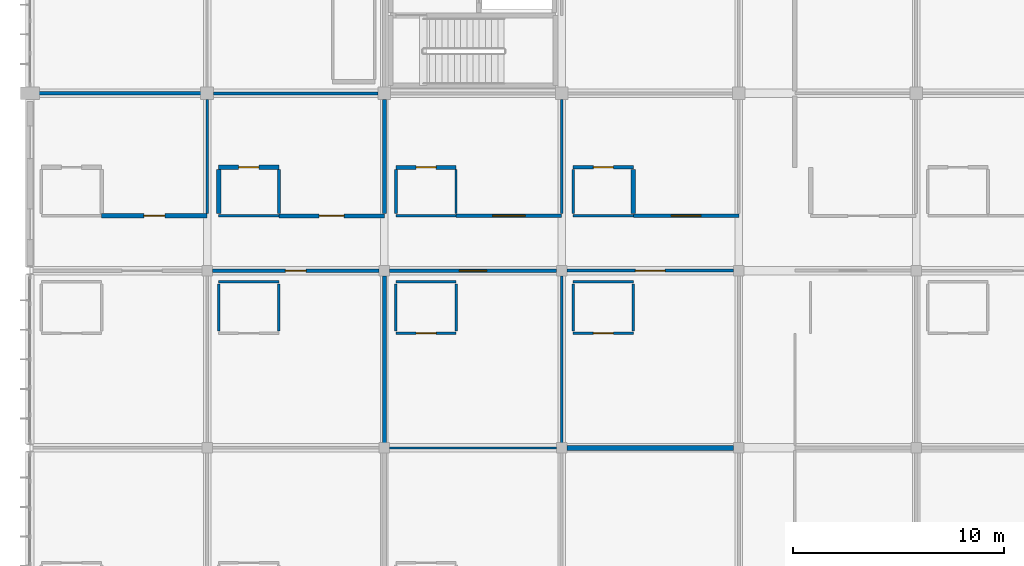
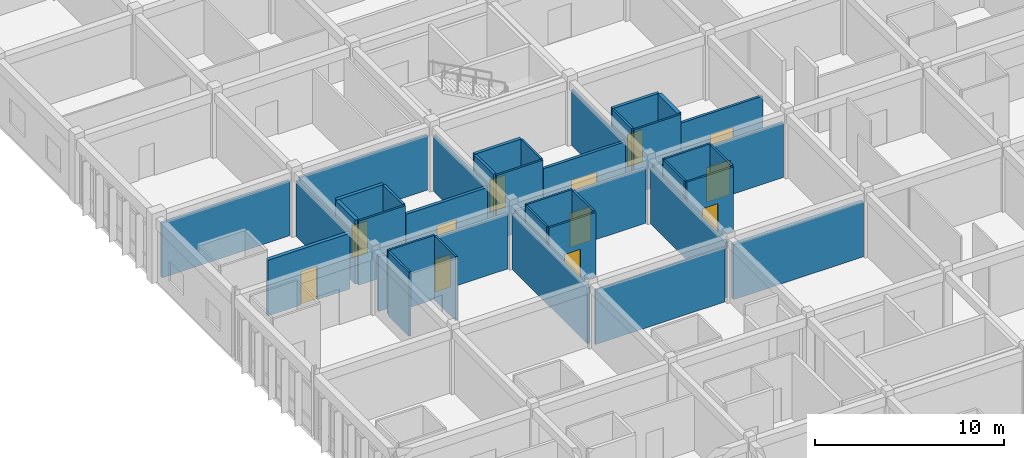
# One storey, part 100 of 144: 39 walls, 12 doors, 12 openings.
"""IFC4 building model written with IfcOpenShell, lengths in metres."""

from ifc_helpers import new_model, si_unit, direction, frame, frame_2d, origin, place, context, subcontext, project, spatial, rectangle, extrude, material, layer, layer_set, type_object, element, fill, save


model = new_model("IFC4")

# Units and contexts
model_context = context("Model", 3, precision=1e-05, world=origin(), true_north=direction((0.0, 1.0)))
body_context = subcontext(model_context, "Body", "Model", "MODEL_VIEW")
ifc_project = project(units=[si_unit("LENGTHUNIT", "METRE"), si_unit("AREAUNIT", "SQUARE_METRE"), si_unit("VOLUMEUNIT", "CUBIC_METRE"), si_unit("PLANEANGLEUNIT", "RADIAN"), si_unit("MASSUNIT", "GRAM", prefix="KILO")], contexts=[model_context])

# Site, building, storey
site_placement = place(None, origin())
site = spatial("IfcSite", under=ifc_project, at=site_placement, CompositionType="ELEMENT")
building_placement = place(site_placement, origin())
building = spatial("IfcBuilding", under=site, at=building_placement, Name="Bramfleet General Hospital", CompositionType="ELEMENT")
storey_placement = place(building_placement, frame((0.0, 0.0, 4.800048828125)))
storey = spatial("IfcBuildingStorey", under=building, at=storey_placement, Name="L01", CompositionType="ELEMENT", Elevation=4.800048828125)

# Wall
ifc_material_1 = material(Name="Concrete C35/45", Category="concrete")
ifc_layer_1 = layer(ifc_material_1, 0.219970703125, Name="WT-IW-01")
ifc_layer_set_1 = layer_set([ifc_layer_1], Name="Concrete C35/45")
wall_type_1 = type_object("IfcWallType", Name="WT-IW-01", PredefinedType="PARTITIONING", material=ifc_layer_set_1)
wall_1_placement = place(storey_placement, frame((25.445068359375, 33.60009765625, 0.0), z_axis=(0.0, 0.0, 1.0), x_axis=(1.0, 0.0, 0.0)))
element("IfcWall", 1, at=wall_1_placement, inside=storey, type_object=wall_type_1, Name="L01 Interior Partition IW-L01-1333", PredefinedType="PARTITIONING", context=body_context, shape_type="SweptSolid", body=[
    extrude(rectangle(XDim=7.909912109375, YDim=0.219970703125, at=frame_2d((3.955078125, 0.0))), origin(), (0.0, 0.0, 1.0), 3.5400390625),
])

# Wall, opening, door
wall_2_placement = place(storey_placement, frame((3.39990234375, 44.60009765625, 0.0), z_axis=(0.0, 0.0, 1.0), x_axis=(1.0, 0.0, 0.0)))
wall_2 = element("IfcWall", 2, at=wall_2_placement, inside=storey, type_object=wall_type_1, Name="L01 Interior Partition IW-L01-1357", PredefinedType="PARTITIONING", context=body_context, shape_type="SweptSolid", body=[
    extrude(rectangle(XDim=5.0, YDim=0.219970703125, at=frame_2d((2.5, 0.0))), origin(), (0.0, 0.0, 1.0), 3.58984375),
])
opening_1_placement = place(wall_2_placement, frame((2.0, 0.0, 0.0)))
opening_1 = element("IfcOpeningElement", 3, at=opening_1_placement, cuts=wall_2, Name="Opening D0616", PredefinedType="OPENING", context=body_context, shape_type="SweptSolid", body=[
    extrude(rectangle(XDim=1.0, YDim=2.14990234375, at=frame_2d((0.5, 1.074951171875))), frame((0.0, 0.119873046875, 0.0), z_axis=(0.0, -1.0, 0.0), x_axis=(1.0, 0.0, 0.0)), (0.0, 0.0, 1.0), 0.239990234375),
])
ifc_material_2 = material(Name="Stainless steel and acoustic timber leaf", Category="steel")
door_type_1 = type_object("IfcDoorType", Name="DR-D-08", OperationType="NOTDEFINED", PredefinedType="DOOR", material=ifc_material_2)
door_1_placement = place(opening_1_placement, origin())
door_1 = element("IfcDoor", 4, at=door_1_placement, inside=storey, type_object=door_type_1, Name="Emergency Observation Ward Room L01-0005 Door D0616", OperationType="SINGLE_SWING_LEFT", OverallHeight=2.14990234375, OverallWidth=1.0, PredefinedType="DOOR", context=body_context, shape_type="SweptSolid", body=[
    extrude(rectangle(XDim=1.0, YDim=2.14990234375, at=frame_2d((0.5, 1.074951171875))), frame((0.0, 0.02490234375, 0.0), z_axis=(0.0, -1.0, 0.0), x_axis=(1.0, 0.0, 0.0)), (0.0, 0.0, 1.0), 0.050048828125),
])
fill(opening_1, door_1)

# Walls
for number, where, z_axis, x_axis, name in (
    (5, (8.949951171875, 44.715087890625, 0.0), (0.0, 0.0, 1.0), (0.0, 1.0, 0.0), "L01 Interior Partition IW-L01-1609"),
    (6, (28.60009765625, 44.715087890625, 0.0), (0.0, 0.0, 1.0), (0.0, 1.0, 0.0), "L01 Interior Partition IW-L01-1669"),
):
    element("IfcWall", number, at=place(storey_placement, frame(where, z_axis=z_axis, x_axis=x_axis)), inside=storey, type_object=wall_type_1, Name=name, PredefinedType="PARTITIONING", context=body_context, shape_type="SweptSolid", body=[
        extrude(rectangle(XDim=2.06982421875, YDim=0.219970703125, at=frame_2d((1.034912109375, 0.0))), origin(), (0.0, 0.0, 1.0), 4.139892578125),
    ])

# Wall, opening, door
ifc_layer_2 = layer(ifc_material_1, 0.205078125, Name="WT-IW-02")
ifc_layer_set_2 = layer_set([ifc_layer_2], Name="Concrete C35/45")
wall_type_2 = type_object("IfcWallType", Name="WT-IW-02", PredefinedType="PARTITIONING", material=ifc_layer_set_2)
wall_3_placement = place(storey_placement, frame((8.949951171875, 46.89990234375, 0.0), z_axis=(0.0, 0.0, 1.0), x_axis=(1.0, 0.0, 0.0)))
wall_3 = element("IfcWall", 7, at=wall_3_placement, inside=storey, type_object=wall_type_2, Name="L01 Interior Partition IW-L01-1370", PredefinedType="PARTITIONING", context=body_context, shape_type="SweptSolid", body=[
    extrude(rectangle(XDim=2.85009765625, YDim=0.205078125, at=frame_2d((1.425048828125, 0.0))), origin(), (0.0, 0.0, 1.0), 4.139892578125),
])
opening_2_placement = place(wall_3_placement, frame((0.949951171875, 0.0, 0.0)))
opening_2 = element("IfcOpeningElement", 8, at=opening_2_placement, cuts=wall_3, Name="Opening D0637", PredefinedType="OPENING", context=body_context, shape_type="SweptSolid", body=[
    extrude(rectangle(XDim=0.949951171875, YDim=2.10009765625, at=frame_2d((0.47509765625, 1.050048828125))), frame((0.0, 0.112548828125, 0.0), z_axis=(0.0, -1.0, 0.0), x_axis=(1.0, 0.0, 0.0)), (0.0, 0.0, 1.0), 0.22509765625),
])
door_type_2 = type_object("IfcDoorType", Name="DR-D-10", OperationType="NOTDEFINED", PredefinedType="DOOR", material=ifc_material_2)
door_2_placement = place(opening_2_placement, origin())
door_2 = element("IfcDoor", 9, at=door_2_placement, inside=storey, type_object=door_type_2, Name="Observation En-Suite Bathroom L01-0105 Door D0637", OperationType="SINGLE_SWING_LEFT", OverallHeight=2.10009765625, OverallWidth=0.949951171875, PredefinedType="DOOR", context=body_context, shape_type="SweptSolid", body=[
    extrude(rectangle(XDim=0.949951171875, YDim=2.10009765625, at=frame_2d((0.47509765625, 1.050048828125))), frame((0.0, 0.02490234375, 0.0), z_axis=(0.0, -1.0, 0.0), x_axis=(1.0, 0.0, 0.0)), (0.0, 0.0, 1.0), 0.050048828125),
])
fill(opening_2, door_2)

ifc_layer_3 = layer(ifc_material_1, 0.18994140625, Name="WT-IW-03")
ifc_layer_set_3 = layer_set([ifc_layer_3], Name="Concrete C35/45")
wall_type_3 = type_object("IfcWallType", Name="WT-IW-03", PredefinedType="PARTITIONING", material=ifc_layer_set_3)
wall_4_placement = place(storey_placement, frame((11.800048828125, 44.60009765625, 0.0), z_axis=(0.0, 0.0, 1.0), x_axis=(1.0, 0.0, 0.0)))
wall_4 = element("IfcWall", 10, at=wall_4_placement, inside=storey, type_object=wall_type_3, Name="L01 Interior Partition IW-L01-1359", PredefinedType="PARTITIONING", context=body_context, shape_type="SweptSolid", body=[
    extrude(rectangle(XDim=5.0, YDim=0.18994140625, at=frame_2d((2.5, 0.0))), origin(), (0.0, 0.0, 1.0), 3.58984375),
])
opening_3_placement = place(wall_4_placement, frame((1.909912109375, 0.0, 0.0)))
opening_3 = element("IfcOpeningElement", 11, at=opening_3_placement, cuts=wall_4, Name="Opening D0636", PredefinedType="OPENING", context=body_context, shape_type="SweptSolid", body=[
    extrude(rectangle(XDim=1.179931640625, YDim=2.179931640625, at=frame_2d((0.58984375, 1.08984375))), frame((0.0, 0.10498046875, 0.0), z_axis=(0.0, -1.0, 0.0), x_axis=(1.0, 0.0, 0.0)), (0.0, 0.0, 1.0), 0.2099609375),
])
door_type_3 = type_object("IfcDoorType", Name="DR-D-28", OperationType="NOTDEFINED", PredefinedType="DOOR", material=ifc_material_2)
door_3_placement = place(opening_3_placement, origin())
door_3 = element("IfcDoor", 12, at=door_3_placement, inside=storey, type_object=door_type_3, Name="Emergency Observation Ward Room L01-0105 Door D0636", OperationType="SINGLE_SWING_LEFT", OverallHeight=2.179931640625, OverallWidth=1.179931640625, PredefinedType="DOOR", context=body_context, shape_type="SweptSolid", body=[
    extrude(rectangle(XDim=1.179931640625, YDim=2.179931640625, at=frame_2d((0.58984375, 1.08984375))), frame((0.0, 0.02490234375, 0.0), z_axis=(0.0, -1.0, 0.0), x_axis=(1.0, 0.0, 0.0)), (0.0, 0.0, 1.0), 0.050048828125),
])
fill(opening_3, door_3)

wall_5_placement = place(storey_placement, frame((17.35009765625, 46.89990234375, 0.0), z_axis=(0.0, 0.0, 1.0), x_axis=(1.0, 0.0, 0.0)))
wall_5 = element("IfcWall", 13, at=wall_5_placement, inside=storey, type_object=wall_type_3, Name="L01 Interior Partition IW-L01-1371", PredefinedType="PARTITIONING", context=body_context, shape_type="SweptSolid", body=[
    extrude(rectangle(XDim=2.849853515625, YDim=0.18994140625, at=frame_2d((1.4248046875, 0.0))), origin(), (0.0, 0.0, 1.0), 4.139892578125),
])
opening_4_placement = place(wall_5_placement, frame((0.949951171875, 0.0, 0.0)))
opening_4 = element("IfcOpeningElement", 14, at=opening_4_placement, cuts=wall_5, Name="Opening D0658", PredefinedType="OPENING", context=body_context, shape_type="SweptSolid", body=[
    extrude(rectangle(XDim=0.949951171875, YDim=2.10009765625, at=frame_2d((0.47509765625, 1.050048828125))), frame((0.0, 0.10498046875, 0.0), z_axis=(0.0, -1.0, 0.0), x_axis=(1.0, 0.0, 0.0)), (0.0, 0.0, 1.0), 0.2099609375),
])
door_4_placement = place(opening_4_placement, origin())
door_4 = element("IfcDoor", 15, at=door_4_placement, inside=storey, type_object=door_type_2, Name="Observation En-Suite Bathroom L01-0205 Door D0658", OperationType="SINGLE_SWING_LEFT", OverallHeight=2.10009765625, OverallWidth=0.949951171875, PredefinedType="DOOR", context=body_context, shape_type="SweptSolid", body=[
    extrude(rectangle(XDim=0.949951171875, YDim=2.10009765625, at=frame_2d((0.47509765625, 1.050048828125))), frame((0.0, 0.02490234375, 0.0), z_axis=(0.0, -1.0, 0.0), x_axis=(1.0, 0.0, 0.0)), (0.0, 0.0, 1.0), 0.050048828125),
])
fill(opening_4, door_4)

# Wall
wall_6_placement = place(storey_placement, frame((16.800048828125, 33.844970703125, 0.0), z_axis=(0.0, 0.0, 1.0), x_axis=(0.0, 1.0, 0.0)))
element("IfcWall", 16, at=wall_6_placement, inside=storey, type_object=wall_type_3, Name="L01 Interior Partition IW-L01-1623", PredefinedType="PARTITIONING", context=body_context, shape_type="SweptSolid", body=[
    extrude(rectangle(XDim=7.909912109375, YDim=0.18994140625, at=frame_2d((3.955078125, 0.0))), origin(), (0.0, 0.0, 1.0), 3.58984375),
])

# Wall, opening, door
ifc_layer_4 = layer(ifc_material_1, 0.179931640625, Name="WT-IW-04")
ifc_layer_set_4 = layer_set([ifc_layer_4], Name="Concrete C35/45")
wall_type_4 = type_object("IfcWallType", Name="WT-IW-04", PredefinedType="PARTITIONING", material=ifc_layer_set_4)
wall_7_placement = place(storey_placement, frame((25.75, 46.89990234375, 0.0), z_axis=(0.0, 0.0, 1.0), x_axis=(1.0, 0.0, 0.0)))
wall_7 = element("IfcWall", 17, at=wall_7_placement, inside=storey, type_object=wall_type_4, Name="L01 Interior Partition IW-L01-1372", PredefinedType="PARTITIONING", context=body_context, shape_type="SweptSolid", body=[
    extrude(rectangle(XDim=2.85009765625, YDim=0.179931640625, at=frame_2d((1.425048828125, 0.0))), origin(), (0.0, 0.0, 1.0), 4.139892578125),
])
opening_5_placement = place(wall_7_placement, frame((0.949951171875, 0.0, 0.0)))
opening_5 = element("IfcOpeningElement", 18, at=opening_5_placement, cuts=wall_7, Name="Opening D0674", PredefinedType="OPENING", context=body_context, shape_type="SweptSolid", body=[
    extrude(rectangle(XDim=0.949951171875, YDim=2.10009765625, at=frame_2d((0.47509765625, 1.050048828125))), frame((0.0, 0.099853515625, 0.0), z_axis=(0.0, -1.0, 0.0), x_axis=(1.0, 0.0, 0.0)), (0.0, 0.0, 1.0), 0.199951171875),
])
door_5_placement = place(opening_5_placement, origin())
door_5 = element("IfcDoor", 19, at=door_5_placement, inside=storey, type_object=door_type_2, Name="Observation En-Suite Bathroom L01-0305 Door D0674", OperationType="SINGLE_SWING_LEFT", OverallHeight=2.10009765625, OverallWidth=0.949951171875, PredefinedType="DOOR", context=body_context, shape_type="SweptSolid", body=[
    extrude(rectangle(XDim=0.949951171875, YDim=2.10009765625, at=frame_2d((0.47509765625, 1.050048828125))), frame((0.0, 0.02490234375, 0.0), z_axis=(0.0, -1.0, 0.0), x_axis=(1.0, 0.0, 0.0)), (0.0, 0.0, 1.0), 0.050048828125),
])
fill(opening_5, door_5)

# Wall
wall_8_placement = place(storey_placement, frame((16.800048828125, 44.715087890625, 0.0), z_axis=(0.0, 0.0, 1.0), x_axis=(0.0, 1.0, 0.0)))
element("IfcWall", 20, at=wall_8_placement, inside=storey, type_object=wall_type_4, Name="L01 Interior Partition IW-L01-1624", PredefinedType="PARTITIONING", context=body_context, shape_type="SweptSolid", body=[
    extrude(rectangle(XDim=5.389892578125, YDim=0.179931640625, at=frame_2d((2.69482421875, 0.0))), origin(), (0.0, 0.0, 1.0), 3.58984375),
])

# Wall, opening, door
ifc_material_3 = material(Name="Gypsum plasterboard on acoustic steel studs", Category="steel")
ifc_layer_5 = layer(ifc_material_3, 0.169921875, Name="WT-IW-05")
ifc_layer_set_5 = layer_set([ifc_layer_5], Name="Gypsum plasterboard on acoustic steel studs")
wall_type_5 = type_object("IfcWallType", Name="WT-IW-05", PredefinedType="PARTITIONING", material=ifc_layer_set_5)
wall_9_placement = place(storey_placement, frame((8.64501953125, 42.0, 0.0), z_axis=(0.0, 0.0, 1.0), x_axis=(1.0, 0.0, 0.0)))
wall_9 = element("IfcWall", 21, at=wall_9_placement, inside=storey, type_object=wall_type_5, Name="L01 Interior Partition IW-L01-1349", PredefinedType="PARTITIONING", context=body_context, shape_type="SweptSolid", body=[
    extrude(rectangle(XDim=7.909912109375, YDim=0.169921875, at=frame_2d((3.955078125, 0.0))), origin(), (0.0, 0.0, 1.0), 3.5400390625),
])
opening_6_placement = place(wall_9_placement, frame((3.465087890625, 0.0, 0.0)))
opening_6 = element("IfcOpeningElement", 22, at=opening_6_placement, cuts=wall_9, Name="Opening D0634", PredefinedType="OPENING", context=body_context, shape_type="SweptSolid", body=[
    extrude(rectangle(XDim=0.97998046875, YDim=2.1201171875, at=frame_2d((0.489990234375, 1.06005859375))), frame((0.0, 0.094970703125, 0.0), z_axis=(0.0, -1.0, 0.0), x_axis=(1.0, 0.0, 0.0)), (0.0, 0.0, 1.0), 0.18994140625),
])
door_type_4 = type_object("IfcDoorType", Name="DR-D-26", OperationType="NOTDEFINED", PredefinedType="DOOR", material=ifc_material_2)
door_6_placement = place(opening_6_placement, origin())
door_6 = element("IfcDoor", 23, at=door_6_placement, inside=storey, type_object=door_type_4, Name="Emergency Observation Ward Room L01-0104 Door D0634", OperationType="SINGLE_SWING_LEFT", OverallHeight=2.1201171875, OverallWidth=0.97998046875, PredefinedType="DOOR", context=body_context, shape_type="SweptSolid", body=[
    extrude(rectangle(XDim=0.97998046875, YDim=2.1201171875, at=frame_2d((0.489990234375, 1.06005859375))), frame((0.0, 0.02490234375, 0.0), z_axis=(0.0, -1.0, 0.0), x_axis=(1.0, 0.0, 0.0)), (0.0, 0.0, 1.0), 0.050048828125),
])
fill(opening_6, door_6)

wall_10_placement = place(storey_placement, frame((20.199951171875, 44.60009765625, 0.0), z_axis=(0.0, 0.0, 1.0), x_axis=(1.0, 0.0, 0.0)))
wall_10 = element("IfcWall", 24, at=wall_10_placement, inside=storey, type_object=wall_type_5, Name="L01 Interior Partition IW-L01-1361", PredefinedType="PARTITIONING", context=body_context, shape_type="SweptSolid", body=[
    extrude(rectangle(XDim=5.0, YDim=0.169921875, at=frame_2d((2.5, 0.0))), origin(), (0.0, 0.0, 1.0), 3.58984375),
])
opening_7_placement = place(wall_10_placement, frame((1.72998046875, 0.0, 0.0)))
opening_7 = element("IfcOpeningElement", 25, at=opening_7_placement, cuts=wall_10, Name="Opening D0657", PredefinedType="OPENING", context=body_context, shape_type="SweptSolid", body=[
    extrude(rectangle(XDim=1.5400390625, YDim=2.239990234375, at=frame_2d((0.77001953125, 1.1201171875))), frame((0.0, 0.094970703125, 0.0), z_axis=(0.0, -1.0, 0.0), x_axis=(1.0, 0.0, 0.0)), (0.0, 0.0, 1.0), 0.18994140625),
])
door_type_5 = type_object("IfcDoorType", Name="DR-D-17", OperationType="NOTDEFINED", PredefinedType="DOOR", material=ifc_material_2)
door_7_placement = place(opening_7_placement, origin())
door_7 = element("IfcDoor", 26, at=door_7_placement, inside=storey, type_object=door_type_5, Name="Emergency Observation Ward Room L01-0205 Door D0657", OperationType="SINGLE_SWING_RIGHT", OverallHeight=2.239990234375, OverallWidth=1.5400390625, PredefinedType="DOOR", context=body_context, shape_type="SweptSolid", body=[
    extrude(rectangle(XDim=1.5400390625, YDim=2.239990234375, at=frame_2d((0.77001953125, 1.1201171875))), frame((0.0, 0.02490234375, 0.0), z_axis=(0.0, -1.0, 0.0), x_axis=(1.0, 0.0, 0.0)), (0.0, 0.0, 1.0), 0.050048828125),
])
fill(opening_7, door_7)

ifc_layer_6 = layer(ifc_material_3, 0.159912109375, Name="WT-IW-06")
ifc_layer_set_6 = layer_set([ifc_layer_6], Name="Gypsum plasterboard on acoustic steel studs")
wall_type_6 = type_object("IfcWallType", Name="WT-IW-06", PredefinedType="PARTITIONING", material=ifc_layer_set_6)
wall_11_placement = place(storey_placement, frame((17.044921875, 42.0, 0.0), z_axis=(0.0, 0.0, 1.0), x_axis=(1.0, 0.0, 0.0)))
wall_11 = element("IfcWall", 27, at=wall_11_placement, inside=storey, type_object=wall_type_6, Name="L01 Interior Partition IW-L01-1350", PredefinedType="PARTITIONING", context=body_context, shape_type="SweptSolid", body=[
    extrude(rectangle(XDim=7.91015625, YDim=0.159912109375, at=frame_2d((3.955078125, 0.0))), origin(), (0.0, 0.0, 1.0), 3.5400390625),
])
opening_8_placement = place(wall_11_placement, frame((3.304931640625, 0.0, 0.0)))
opening_8 = element("IfcOpeningElement", 28, at=opening_8_placement, cuts=wall_11, Name="Opening D0655", PredefinedType="OPENING", context=body_context, shape_type="SweptSolid", body=[
    extrude(rectangle(XDim=1.300048828125, YDim=2.199951171875, at=frame_2d((0.64990234375, 1.10009765625))), frame((0.0, 0.08984375, 0.0), z_axis=(0.0, -1.0, 0.0), x_axis=(1.0, 0.0, 0.0)), (0.0, 0.0, 1.0), 0.179931640625),
])
door_type_6 = type_object("IfcDoorType", Name="DR-D-15", OperationType="NOTDEFINED", PredefinedType="DOOR", material=ifc_material_2)
door_8_placement = place(opening_8_placement, origin())
door_8 = element("IfcDoor", 29, at=door_8_placement, inside=storey, type_object=door_type_6, Name="Emergency Observation Ward Room L01-0204 Door D0655", OperationType="SINGLE_SWING_RIGHT", OverallHeight=2.199951171875, OverallWidth=1.300048828125, PredefinedType="DOOR", context=body_context, shape_type="SweptSolid", body=[
    extrude(rectangle(XDim=1.300048828125, YDim=2.199951171875, at=frame_2d((0.64990234375, 1.10009765625))), frame((0.0, 0.02490234375, 0.0), z_axis=(0.0, -1.0, 0.0), x_axis=(1.0, 0.0, 0.0)), (0.0, 0.0, 1.0), 0.050048828125),
])
fill(opening_8, door_8)

# Walls
wall_12_placement = place(storey_placement, frame((0.294921875, 50.39990234375, 0.0), z_axis=(0.0, 0.0, 1.0), x_axis=(1.0, 0.0, 0.0)))
element("IfcWall", 30, at=wall_12_placement, inside=storey, type_object=wall_type_6, Name="L01 Interior Partition IW-L01-1374", PredefinedType="PARTITIONING", context=body_context, shape_type="SweptSolid", body=[
    extrude(rectangle(XDim=7.81005859375, YDim=0.159912109375, at=frame_2d((3.905029296875, 0.0))), origin(), (0.0, 0.0, 1.0), 3.5400390625),
])
wall_13_placement = place(storey_placement, frame((17.35009765625, 44.715087890625, 0.0), z_axis=(0.0, 0.0, 1.0), x_axis=(0.0, 1.0, 0.0)))
element("IfcWall", 31, at=wall_13_placement, inside=storey, type_object=wall_type_6, Name="L01 Interior Partition IW-L01-1638", PredefinedType="PARTITIONING", context=body_context, shape_type="SweptSolid", body=[
    extrude(rectangle(XDim=2.06982421875, YDim=0.159912109375, at=frame_2d((1.034912109375, 0.0))), origin(), (0.0, 0.0, 1.0), 4.139892578125),
])

# Wall, opening, door
ifc_layer_7 = layer(ifc_material_3, 0.14990234375, Name="WT-IW-07")
ifc_layer_set_7 = layer_set([ifc_layer_7], Name="Gypsum plasterboard on acoustic steel studs")
wall_type_7 = type_object("IfcWallType", Name="WT-IW-07", PredefinedType="PARTITIONING", material=ifc_layer_set_7)
wall_14_placement = place(storey_placement, frame((25.445068359375, 42.0, 0.0), z_axis=(0.0, 0.0, 1.0), x_axis=(1.0, 0.0, 0.0)))
wall_14 = element("IfcWall", 32, at=wall_14_placement, inside=storey, type_object=wall_type_7, Name="L01 Interior Partition IW-L01-1351", PredefinedType="PARTITIONING", context=body_context, shape_type="SweptSolid", body=[
    extrude(rectangle(XDim=7.909912109375, YDim=0.14990234375, at=frame_2d((3.955078125, 0.0))), origin(), (0.0, 0.0, 1.0), 3.5400390625),
])
opening_9_placement = place(wall_14_placement, frame((3.2451171875, 0.0, 0.0)))
opening_9 = element("IfcOpeningElement", 33, at=opening_9_placement, cuts=wall_14, Name="Opening D0671", PredefinedType="OPENING", context=body_context, shape_type="SweptSolid", body=[
    extrude(rectangle(XDim=1.419921875, YDim=2.219970703125, at=frame_2d((0.7099609375, 1.10986328125))), frame((0.0, 0.0849609375, 0.0), z_axis=(0.0, -1.0, 0.0), x_axis=(1.0, 0.0, 0.0)), (0.0, 0.0, 1.0), 0.169921875),
])
door_type_7 = type_object("IfcDoorType", Name="DR-D-31", OperationType="NOTDEFINED", PredefinedType="DOOR", material=ifc_material_2)
door_9_placement = place(opening_9_placement, origin())
door_9 = element("IfcDoor", 34, at=door_9_placement, inside=storey, type_object=door_type_7, Name="Emergency Observation Ward Room L01-0304 Door D0671", OperationType="SINGLE_SWING_RIGHT", OverallHeight=2.219970703125, OverallWidth=1.419921875, PredefinedType="DOOR", context=body_context, shape_type="SweptSolid", body=[
    extrude(rectangle(XDim=1.419921875, YDim=2.219970703125, at=frame_2d((0.7099609375, 1.10986328125))), frame((0.0, 0.02490234375, 0.0), z_axis=(0.0, -1.0, 0.0), x_axis=(1.0, 0.0, 0.0)), (0.0, 0.0, 1.0), 0.050048828125),
])
fill(opening_9, door_9)

wall_15_placement = place(storey_placement, frame((28.60009765625, 44.60009765625, 0.0), z_axis=(0.0, 0.0, 1.0), x_axis=(1.0, 0.0, 0.0)))
wall_15 = element("IfcWall", 35, at=wall_15_placement, inside=storey, type_object=wall_type_7, Name="L01 Interior Partition IW-L01-1363", PredefinedType="PARTITIONING", context=body_context, shape_type="SweptSolid", body=[
    extrude(rectangle(XDim=5.0, YDim=0.14990234375, at=frame_2d((2.5, 0.0))), origin(), (0.0, 0.0, 1.0), 3.58984375),
])
opening_10_placement = place(wall_15_placement, frame((1.800048828125, 0.0, 0.0)))
opening_10 = element("IfcOpeningElement", 36, at=opening_10_placement, cuts=wall_15, Name="Opening D0673", PredefinedType="OPENING", context=body_context, shape_type="SweptSolid", body=[
    extrude(rectangle(XDim=1.39990234375, YDim=2.199951171875, at=frame_2d((0.699951171875, 1.10009765625))), frame((0.0, 0.0849609375, 0.0), z_axis=(0.0, -1.0, 0.0), x_axis=(1.0, 0.0, 0.0)), (0.0, 0.0, 1.0), 0.169921875),
])
door_type_8 = type_object("IfcDoorType", Name="DR-D-01", OperationType="NOTDEFINED", PredefinedType="DOOR", material=ifc_material_2)
door_10_placement = place(opening_10_placement, origin())
door_10 = element("IfcDoor", 37, at=door_10_placement, inside=storey, type_object=door_type_8, Name="Emergency Observation Ward Room L01-0305 Door D0673", OperationType="SINGLE_SWING_RIGHT", OverallHeight=2.199951171875, OverallWidth=1.39990234375, PredefinedType="DOOR", context=body_context, shape_type="SweptSolid", body=[
    extrude(rectangle(XDim=1.39990234375, YDim=2.199951171875, at=frame_2d((0.699951171875, 1.10009765625))), frame((0.0, 0.02490234375, 0.0), z_axis=(0.0, -1.0, 0.0), x_axis=(1.0, 0.0, 0.0)), (0.0, 0.0, 1.0), 0.050048828125),
])
fill(opening_10, door_10)

# Walls
wall_16_placement = place(storey_placement, frame((8.695068359375, 50.39990234375, 0.0), z_axis=(0.0, 0.0, 1.0), x_axis=(1.0, 0.0, 0.0)))
element("IfcWall", 38, at=wall_16_placement, inside=storey, type_object=wall_type_7, Name="L01 Interior Partition IW-L01-1375", PredefinedType="PARTITIONING", context=body_context, shape_type="SweptSolid", body=[
    extrude(rectangle(XDim=7.809814453125, YDim=0.14990234375, at=frame_2d((3.90478515625, 0.0))), origin(), (0.0, 0.0, 1.0), 3.5400390625),
])
wall_17_placement = place(storey_placement, frame((11.800048828125, 44.715087890625, 0.0), z_axis=(0.0, 0.0, 1.0), x_axis=(0.0, 1.0, 0.0)))
element("IfcWall", 39, at=wall_17_placement, inside=storey, type_object=wall_type_7, Name="L01 Interior Partition IW-L01-1615", PredefinedType="PARTITIONING", context=body_context, shape_type="SweptSolid", body=[
    extrude(rectangle(XDim=2.06982421875, YDim=0.14990234375, at=frame_2d((1.034912109375, 0.0))), origin(), (0.0, 0.0, 1.0), 4.139892578125),
])
ifc_layer_8 = layer(ifc_material_3, 0.1298828125, Name="WT-IW-09")
ifc_layer_set_8 = layer_set([ifc_layer_8], Name="Gypsum plasterboard on acoustic steel studs")
wall_type_8 = type_object("IfcWallType", Name="WT-IW-09", PredefinedType="PARTITIONING", material=ifc_layer_set_8)
wall_18_placement = place(storey_placement, frame((25.199951171875, 33.844970703125, 0.0), z_axis=(0.0, 0.0, 1.0), x_axis=(0.0, 1.0, 0.0)))
element("IfcWall", 40, at=wall_18_placement, inside=storey, type_object=wall_type_8, Name="L01 Interior Partition IW-L01-1653", PredefinedType="PARTITIONING", context=body_context, shape_type="SweptSolid", body=[
    extrude(rectangle(XDim=7.909912109375, YDim=0.1298828125, at=frame_2d((3.955078125, 0.0))), origin(), (0.0, 0.0, 1.0), 3.58984375),
])
wall_19_placement = place(storey_placement, frame((25.75, 44.715087890625, 0.0), z_axis=(0.0, 0.0, 1.0), x_axis=(0.0, 1.0, 0.0)))
element("IfcWall", 41, at=wall_19_placement, inside=storey, type_object=wall_type_8, Name="L01 Interior Partition IW-L01-1665", PredefinedType="PARTITIONING", context=body_context, shape_type="SweptSolid", body=[
    extrude(rectangle(XDim=2.06982421875, YDim=0.1298828125, at=frame_2d((1.034912109375, 0.0))), origin(), (0.0, 0.0, 1.0), 4.139892578125),
])

# Wall, opening, door
ifc_layer_9 = layer(ifc_material_3, 0.1201171875, Name="WT-IW-10")
ifc_layer_set_9 = layer_set([ifc_layer_9], Name="Gypsum plasterboard on acoustic steel studs")
wall_type_9 = type_object("IfcWallType", Name="WT-IW-10", PredefinedType="PARTITIONING", material=ifc_layer_set_9)
wall_20_placement = place(storey_placement, frame((17.35009765625, 39.030029296875, 0.0), z_axis=(0.0, 0.0, 1.0), x_axis=(1.0, 0.0, 0.0)))
wall_20 = element("IfcWall", 42, at=wall_20_placement, inside=storey, type_object=wall_type_9, Name="L01 Interior Partition IW-L01-1340", PredefinedType="PARTITIONING", context=body_context, shape_type="SweptSolid", body=[
    extrude(rectangle(XDim=2.849853515625, YDim=0.1201171875, at=frame_2d((1.4248046875, 0.0))), origin(), (0.0, 0.0, 1.0), 4.139892578125),
])
opening_11_placement = place(wall_20_placement, frame((0.949951171875, 0.0, 0.0)))
opening_11 = element("IfcOpeningElement", 43, at=opening_11_placement, cuts=wall_20, Name="Opening D0656", PredefinedType="OPENING", context=body_context, shape_type="SweptSolid", body=[
    extrude(rectangle(XDim=0.949951171875, YDim=2.10009765625, at=frame_2d((0.47509765625, 1.050048828125))), frame((0.0, 0.070068359375, 0.0), z_axis=(0.0, -1.0, 0.0), x_axis=(1.0, 0.0, 0.0)), (0.0, 0.0, 1.0), 0.14013671875),
])
door_11_placement = place(opening_11_placement, origin())
door_11 = element("IfcDoor", 44, at=door_11_placement, inside=storey, type_object=door_type_2, Name="Observation En-Suite Bathroom L01-0204 Door D0656", OperationType="SINGLE_SWING_LEFT", OverallHeight=2.10009765625, OverallWidth=0.949951171875, PredefinedType="DOOR", context=body_context, shape_type="SweptSolid", body=[
    extrude(rectangle(XDim=0.949951171875, YDim=2.10009765625, at=frame_2d((0.47509765625, 1.050048828125))), frame((0.0, 0.02490234375, 0.0), z_axis=(0.0, -1.0, 0.0), x_axis=(1.0, 0.0, 0.0)), (0.0, 0.0, 1.0), 0.050048828125),
])
fill(opening_11, door_11)

wall_21_placement = place(storey_placement, frame((25.75, 39.030029296875, 0.0), z_axis=(0.0, 0.0, 1.0), x_axis=(1.0, 0.0, 0.0)))
wall_21 = element("IfcWall", 45, at=wall_21_placement, inside=storey, type_object=wall_type_9, Name="L01 Interior Partition IW-L01-1341", PredefinedType="PARTITIONING", context=body_context, shape_type="SweptSolid", body=[
    extrude(rectangle(XDim=2.85009765625, YDim=0.1201171875, at=frame_2d((1.425048828125, 0.0))), origin(), (0.0, 0.0, 1.0), 4.139892578125),
])
opening_12_placement = place(wall_21_placement, frame((0.949951171875, 0.0, 0.0)))
opening_12 = element("IfcOpeningElement", 46, at=opening_12_placement, cuts=wall_21, Name="Opening D0672", PredefinedType="OPENING", context=body_context, shape_type="SweptSolid", body=[
    extrude(rectangle(XDim=0.949951171875, YDim=2.10009765625, at=frame_2d((0.47509765625, 1.050048828125))), frame((0.0, 0.070068359375, 0.0), z_axis=(0.0, -1.0, 0.0), x_axis=(1.0, 0.0, 0.0)), (0.0, 0.0, 1.0), 0.14013671875),
])
door_12_placement = place(opening_12_placement, origin())
door_12 = element("IfcDoor", 47, at=door_12_placement, inside=storey, type_object=door_type_2, Name="Observation En-Suite Bathroom L01-0304 Door D0672", OperationType="SINGLE_SWING_LEFT", OverallHeight=2.10009765625, OverallWidth=0.949951171875, PredefinedType="DOOR", context=body_context, shape_type="SweptSolid", body=[
    extrude(rectangle(XDim=0.949951171875, YDim=2.10009765625, at=frame_2d((0.47509765625, 1.050048828125))), frame((0.0, 0.02490234375, 0.0), z_axis=(0.0, -1.0, 0.0), x_axis=(1.0, 0.0, 0.0)), (0.0, 0.0, 1.0), 0.050048828125),
])
fill(opening_12, door_12)

# Walls
wall_22_placement = place(storey_placement, frame((8.949951171875, 41.47998046875, 0.0), z_axis=(0.0, 0.0, 1.0), x_axis=(1.0, 0.0, 0.0)))
element("IfcWall", 48, at=wall_22_placement, inside=storey, type_object=wall_type_9, Name="L01 Interior Partition IW-L01-1344", PredefinedType="PARTITIONING", context=body_context, shape_type="SweptSolid", body=[
    extrude(rectangle(XDim=2.85009765625, YDim=0.1201171875, at=frame_2d((1.425048828125, 0.0))), origin(), (0.0, 0.0, 1.0), 4.139892578125),
])
wall_23_placement = place(storey_placement, frame((17.35009765625, 41.47998046875, 0.0), z_axis=(0.0, 0.0, 1.0), x_axis=(1.0, 0.0, 0.0)))
element("IfcWall", 49, at=wall_23_placement, inside=storey, type_object=wall_type_9, Name="L01 Interior Partition IW-L01-1345", PredefinedType="PARTITIONING", context=body_context, shape_type="SweptSolid", body=[
    extrude(rectangle(XDim=2.849853515625, YDim=0.1201171875, at=frame_2d((1.4248046875, 0.0))), origin(), (0.0, 0.0, 1.0), 4.139892578125),
])
for number, where, z_axis, x_axis, name in (
    (50, (25.75, 41.47998046875, 0.0), (0.0, 0.0, 1.0), (1.0, 0.0, 0.0), "L01 Interior Partition IW-L01-1346"),
    (51, (8.949951171875, 44.60009765625, 0.0), (0.0, 0.0, 1.0), (1.0, 0.0, 0.0), "L01 Interior Partition IW-L01-1358"),
):
    element("IfcWall", number, at=place(storey_placement, frame(where, z_axis=z_axis, x_axis=x_axis)), inside=storey, type_object=wall_type_9, Name=name, PredefinedType="PARTITIONING", context=body_context, shape_type="SweptSolid", body=[
        extrude(rectangle(XDim=2.85009765625, YDim=0.1201171875, at=frame_2d((1.425048828125, 0.0))), origin(), (0.0, 0.0, 1.0), 4.139892578125),
    ])
wall_24_placement = place(storey_placement, frame((17.35009765625, 44.60009765625, 0.0), z_axis=(0.0, 0.0, 1.0), x_axis=(1.0, 0.0, 0.0)))
element("IfcWall", 52, at=wall_24_placement, inside=storey, type_object=wall_type_9, Name="L01 Interior Partition IW-L01-1360", PredefinedType="PARTITIONING", context=body_context, shape_type="SweptSolid", body=[
    extrude(rectangle(XDim=2.849853515625, YDim=0.1201171875, at=frame_2d((1.4248046875, 0.0))), origin(), (0.0, 0.0, 1.0), 4.139892578125),
])
wall_25_placement = place(storey_placement, frame((25.75, 44.60009765625, 0.0), z_axis=(0.0, 0.0, 1.0), x_axis=(1.0, 0.0, 0.0)))
element("IfcWall", 53, at=wall_25_placement, inside=storey, type_object=wall_type_9, Name="L01 Interior Partition IW-L01-1362", PredefinedType="PARTITIONING", context=body_context, shape_type="SweptSolid", body=[
    extrude(rectangle(XDim=2.85009765625, YDim=0.1201171875, at=frame_2d((1.425048828125, 0.0))), origin(), (0.0, 0.0, 1.0), 4.139892578125),
])
for number, where, z_axis, x_axis, name in (
    (54, (8.949951171875, 39.14501953125, 0.0), (0.0, 0.0, 1.0), (0.0, 1.0, 0.0), "L01 Interior Partition IW-L01-1608"),
    (55, (11.800048828125, 39.14501953125, 0.0), (0.0, 0.0, 1.0), (0.0, 1.0, 0.0), "L01 Interior Partition IW-L01-1614"),
    (56, (17.35009765625, 39.14501953125, 0.0), (0.0, 0.0, 1.0), (0.0, 1.0, 0.0), "L01 Interior Partition IW-L01-1637"),
    (57, (20.199951171875, 39.14501953125, 0.0), (0.0, 0.0, 1.0), (0.0, 1.0, 0.0), "L01 Interior Partition IW-L01-1643"),
):
    element("IfcWall", number, at=place(storey_placement, frame(where, z_axis=z_axis, x_axis=x_axis)), inside=storey, type_object=wall_type_9, Name=name, PredefinedType="PARTITIONING", context=body_context, shape_type="SweptSolid", body=[
        extrude(rectangle(XDim=2.219970703125, YDim=0.1201171875, at=frame_2d((1.10986328125, 0.0))), origin(), (0.0, 0.0, 1.0), 4.139892578125),
    ])
wall_26_placement = place(storey_placement, frame((25.199951171875, 44.715087890625, 0.0), z_axis=(0.0, 0.0, 1.0), x_axis=(0.0, 1.0, 0.0)))
element("IfcWall", 58, at=wall_26_placement, inside=storey, type_object=wall_type_9, Name="L01 Interior Partition IW-L01-1654", PredefinedType="PARTITIONING", context=body_context, shape_type="SweptSolid", body=[
    extrude(rectangle(XDim=5.389892578125, YDim=0.1201171875, at=frame_2d((2.69482421875, 0.0))), origin(), (0.0, 0.0, 1.0), 3.58984375),
])
for number, where, z_axis, x_axis, name in (
    (59, (25.75, 39.14501953125, 0.0), (0.0, 0.0, 1.0), (0.0, 1.0, 0.0), "L01 Interior Partition IW-L01-1664"),
    (60, (28.60009765625, 39.14501953125, 0.0), (0.0, 0.0, 1.0), (0.0, 1.0, 0.0), "L01 Interior Partition IW-L01-1668"),
):
    element("IfcWall", number, at=place(storey_placement, frame(where, z_axis=z_axis, x_axis=x_axis)), inside=storey, type_object=wall_type_9, Name=name, PredefinedType="PARTITIONING", context=body_context, shape_type="SweptSolid", body=[
        extrude(rectangle(XDim=2.219970703125, YDim=0.1201171875, at=frame_2d((1.10986328125, 0.0))), origin(), (0.0, 0.0, 1.0), 4.139892578125),
    ])
ifc_layer_10 = layer(ifc_material_3, 0.112060546875, Name="WT-IW-11")
ifc_layer_set_10 = layer_set([ifc_layer_10], Name="Gypsum plasterboard on acoustic steel studs")
wall_type_10 = type_object("IfcWallType", Name="WT-IW-11", PredefinedType="PARTITIONING", material=ifc_layer_set_10)
wall_27_placement = place(storey_placement, frame((8.39990234375, 44.715087890625, 0.0), z_axis=(0.0, 0.0, 1.0), x_axis=(0.0, 1.0, 0.0)))
element("IfcWall", 61, at=wall_27_placement, inside=storey, type_object=wall_type_10, Name="L01 Interior Partition IW-L01-1595", PredefinedType="PARTITIONING", context=body_context, shape_type="SweptSolid", body=[
    extrude(rectangle(XDim=5.389892578125, YDim=0.112060546875, at=frame_2d((2.69482421875, 0.0))), origin(), (0.0, 0.0, 1.0), 3.58984375),
])
ifc_layer_11 = layer(ifc_material_3, 0.10009765625, Name="WT-IW-12")
ifc_layer_set_11 = layer_set([ifc_layer_11], Name="Gypsum plasterboard on acoustic steel studs")
wall_type_11 = type_object("IfcWallType", Name="WT-IW-12", PredefinedType="PARTITIONING", material=ifc_layer_set_11)
wall_28_placement = place(storey_placement, frame((17.044921875, 33.60009765625, 0.0), z_axis=(0.0, 0.0, 1.0), x_axis=(1.0, 0.0, 0.0)))
element("IfcWall", 62, at=wall_28_placement, inside=storey, type_object=wall_type_11, Name="L01 Interior Partition IW-L01-1332", PredefinedType="PARTITIONING", context=body_context, shape_type="SweptSolid", body=[
    extrude(rectangle(XDim=7.91015625, YDim=0.10009765625, at=frame_2d((3.955078125, 0.0))), origin(), (0.0, 0.0, 1.0), 3.5400390625),
])
wall_29_placement = place(storey_placement, frame((20.199951171875, 44.715087890625, 0.0), z_axis=(0.0, 0.0, 1.0), x_axis=(0.0, 1.0, 0.0)))
element("IfcWall", 63, at=wall_29_placement, inside=storey, type_object=wall_type_11, Name="L01 Interior Partition IW-L01-1644", PredefinedType="PARTITIONING", context=body_context, shape_type="SweptSolid", body=[
    extrude(rectangle(XDim=2.06982421875, YDim=0.10009765625, at=frame_2d((1.034912109375, 0.0))), origin(), (0.0, 0.0, 1.0), 4.139892578125),
])

save(model, "model.ifc")
